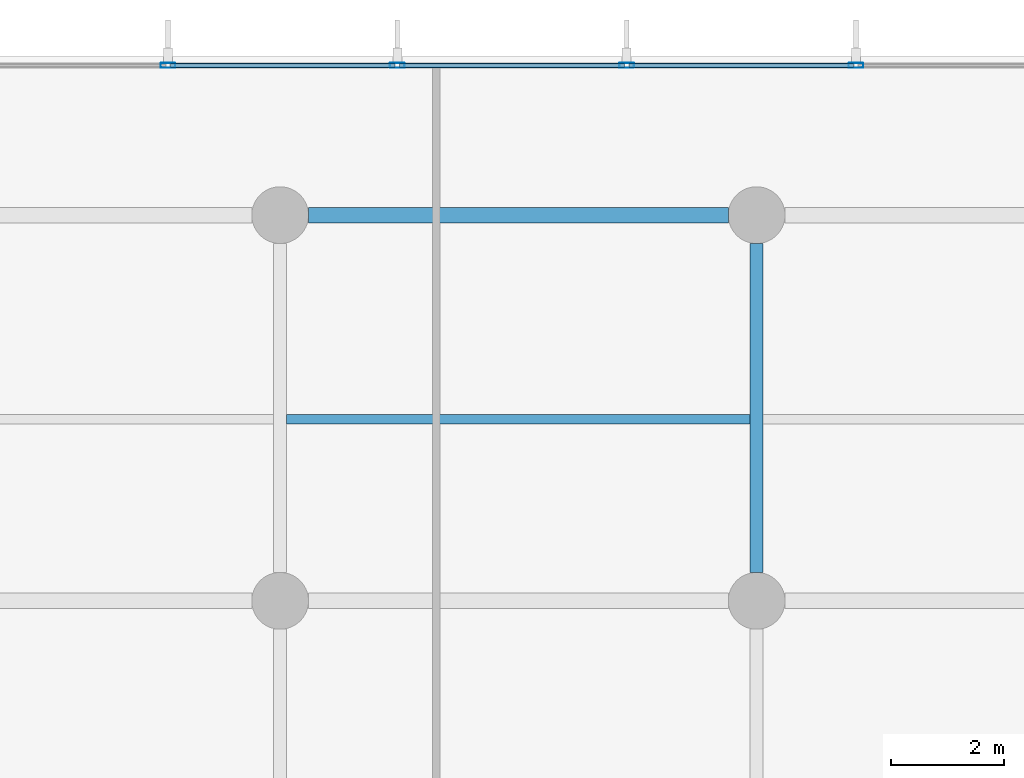
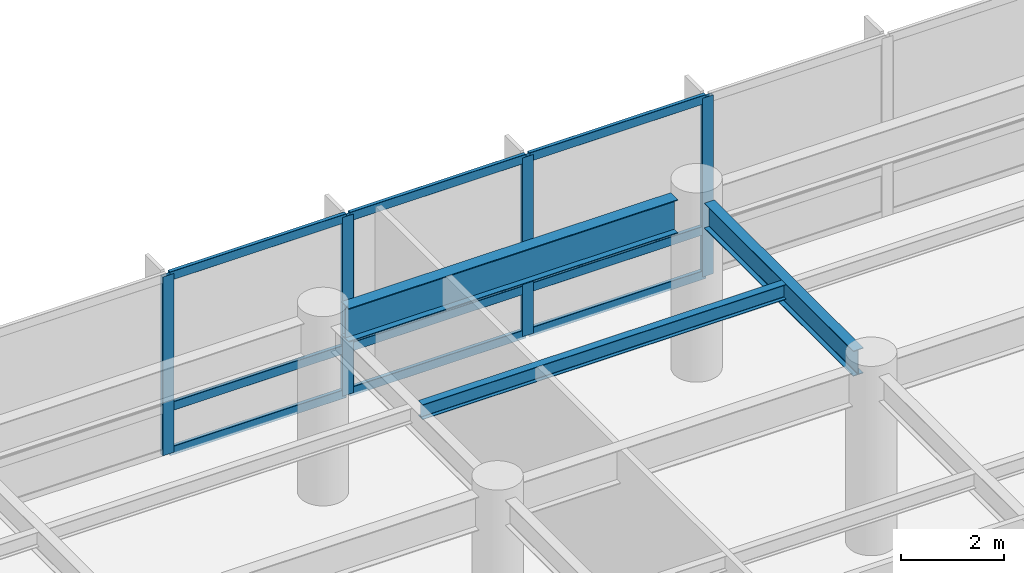
# One storey, part 11 of 26: 13 members, 3 beams, 1 element without a shape of its own.
"""IFC4 building model written with IfcOpenShell, lengths in metres."""

from ifc_helpers import new_model, si_unit, direction, frame, origin, origin_2d, place, context, subcontext, project, spatial, hollow_rectangle, i_section, extrude, material, layer, layer_set, material_profile, profile_set, type_object, element, aggregate, save


model = new_model("IFC4")

# Units and contexts
model_context = context("Model", 3, precision=1e-05, world=origin(), true_north=direction((0.0, 1.0)))
body_context = subcontext(model_context, "Body", "Model", "MODEL_VIEW")
ifc_project = project(units=[si_unit("LENGTHUNIT", "METRE"), si_unit("AREAUNIT", "SQUARE_METRE"), si_unit("VOLUMEUNIT", "CUBIC_METRE"), si_unit("PLANEANGLEUNIT", "RADIAN"), si_unit("MASSUNIT", "GRAM", prefix="KILO")], contexts=[model_context])

# Site, building, storey
site_placement = place(None, origin())
site = spatial("IfcSite", under=ifc_project, at=site_placement, CompositionType="ELEMENT")
building_placement = place(site_placement, origin())
building = spatial("IfcBuilding", under=site, at=building_placement, Name="Varnakote Quay Hospital", CompositionType="ELEMENT")
storey_placement = place(building_placement, frame((0.0, 0.0, 9.0)))
storey = spatial("IfcBuildingStorey", under=building, at=storey_placement, Name="L02", CompositionType="ELEMENT", Elevation=9.0)

# Beams
ifc_material_1 = material(Name="Structural steel AS/NZS 3679.1 Grade 350 L0 (fy 340 MPa)", Category="steel")
ifc_material_profile_1 = material_profile(ifc_material_1, i_section(OverallWidth=0.22802734375, OverallDepth=0.60205078125, WebThickness=0.010498046875, FlangeThickness=0.014892578125, FilletRadius=0.013916015625, at=origin_2d()), Name="610UB101")
ifc_profile_set_1 = profile_set([ifc_material_profile_1], Name="Structural steel AS/NZS 3679.1 Grade 350 L0 (fy 340 MPa)")
beam_type_1 = type_object("IfcBeamType", Name="BM-STL-610UB101", PredefinedType="BEAM", material=ifc_profile_set_1)
beam_1_placement = place(storey_placement, frame((75.60009765625, 37.699951171875, 3.948974609375), z_axis=(0.0, 1.0, 0.0), x_axis=(-1.0, 0.0, 0.0)))
element("IfcBeam", 1, at=beam_1_placement, inside=storey, type_object=beam_type_1, Name="L02 Primary Tie Beam", PredefinedType="BEAM", context=body_context, shape_type="SweptSolid", body=[
    extrude(i_section(OverallWidth=0.22802734375, OverallDepth=0.60205078125, WebThickness=0.010498046875, FlangeThickness=0.014892578125, FilletRadius=0.013916015625, at=origin_2d()), origin(), (0.0, 0.0, 1.0), 5.800048828125),
])
ifc_material_2 = material(Name="Structural steel AS/NZS 3678 Grade 350 (fy 340 MPa)", Category="steel")
ifc_material_profile_2 = material_profile(ifc_material_2, i_section(OverallWidth=0.27490234375, OverallDepth=0.800048828125, WebThickness=0.010009765625, FlangeThickness=0.02001953125, at=origin_2d()), Name="800WB146")
ifc_profile_set_2 = profile_set([ifc_material_profile_2], Name="Structural steel AS/NZS 3678 Grade 350 (fy 340 MPa)")
beam_type_2 = type_object("IfcBeamType", Name="BM-STL-800WB146", PredefinedType="BEAM", material=ifc_profile_set_2)
beam_2_placement = place(storey_placement, frame((67.699951171875, 44.0, 3.85009765625), z_axis=(1.0, 0.0, 0.0), x_axis=(0.0, 1.0, 0.0)))
element("IfcBeam", 2, at=beam_2_placement, inside=storey, type_object=beam_type_2, Name="L02 Primary Floor Beam", PredefinedType="BEAM", context=body_context, shape_type="SweptSolid", body=[
    extrude(i_section(OverallWidth=0.27490234375, OverallDepth=0.800048828125, WebThickness=0.010009765625, FlangeThickness=0.02001953125, at=origin_2d()), origin(), (0.0, 0.0, 1.0), 7.400146484375),
])

# Curtain wall, members
ifc_material_3 = material(Name="Anodised aluminium 6063-T6 Bronze", Category="aluminium")
ifc_layer = layer(ifc_material_3, 0.175048828125)
ifc_layer_set = layer_set([ifc_layer], Name="Anodised aluminium 6063-T6 Bronze")
curtain_wall_type = type_object("IfcCurtainWallType", Name="CW-SYS-1", PredefinedType="NOTDEFINED", material=ifc_layer_set)
curtain_wall_placement = place(storey_placement, origin())
curtain_wall = element("IfcCurtainWall", 3, at=curtain_wall_placement, inside=storey, type_object=curtain_wall_type, Name="L02 Unitised Bronze Curtain Wall 2", PredefinedType="NOTDEFINED")
ifc_material_4 = material(Name="Anodised aluminium 6063-T6 Bronze", Category="aluminium")
ifc_material_profile_3 = material_profile(ifc_material_4, hollow_rectangle(XDim=0.0849609375, YDim=0.260009765625, WallThickness=0.0048828125, InnerFilletRadius=0.0048828125, OuterFilletRadius=0.010009765625, at=origin_2d()), Name="CW-MULL-260x85")
ifc_profile_set_3 = profile_set([ifc_material_profile_3], Name="Anodised aluminium 6063-T6 Bronze")
member_type_1 = type_object("IfcMemberType", Name="CW-MULL-260x85", PredefinedType="MULLION", material=ifc_profile_set_3)
member_1_placement = place(storey_placement, frame((77.35302734375, 46.639892578125, 0.0), z_axis=(0.0, 0.0, 1.0), x_axis=(0.0, -1.0, 0.0)))
member_1 = element("IfcMember", 4, at=member_1_placement, type_object=member_type_1, Name="-1-L02-2 mullion 3", PredefinedType="MULLION", context=body_context, shape_type="SweptSolid", body=[
    extrude(hollow_rectangle(XDim=0.0849609375, YDim=0.260009765625, WallThickness=0.0048828125, InnerFilletRadius=0.0048828125, OuterFilletRadius=0.010009765625, at=origin_2d()), origin(), (0.0, 0.0, 1.0), 4.25),
])
member_2_placement = place(storey_placement, frame((73.3095703125, 46.639892578125, 0.0), z_axis=(0.0, 0.0, 1.0), x_axis=(0.0, -1.0, 0.0)))
member_2 = element("IfcMember", 5, at=member_2_placement, type_object=member_type_1, Name="-1-L02-2 mullion 4", PredefinedType="MULLION", context=body_context, shape_type="SweptSolid", body=[
    extrude(hollow_rectangle(XDim=0.0849609375, YDim=0.260009765625, WallThickness=0.0048828125, InnerFilletRadius=0.0048828125, OuterFilletRadius=0.010009765625, at=origin_2d()), origin(), (0.0, 0.0, 1.0), 4.25),
])
member_3_placement = place(storey_placement, frame((69.265869140625, 46.639892578125, 0.0), z_axis=(0.0, 0.0, 1.0), x_axis=(0.0, -1.0, 0.0)))
member_3 = element("IfcMember", 6, at=member_3_placement, type_object=member_type_1, Name="-1-L02-2 mullion 5", PredefinedType="MULLION", context=body_context, shape_type="SweptSolid", body=[
    extrude(hollow_rectangle(XDim=0.0849609375, YDim=0.260009765625, WallThickness=0.0048828125, InnerFilletRadius=0.0048828125, OuterFilletRadius=0.010009765625, at=origin_2d()), origin(), (0.0, 0.0, 1.0), 4.25),
])
member_4_placement = place(storey_placement, frame((65.222412109375, 46.639892578125, 0.0), z_axis=(0.0, 0.0, 1.0), x_axis=(0.0, -1.0, 0.0)))
member_4 = element("IfcMember", 7, at=member_4_placement, type_object=member_type_1, Name="-1-L02-2 mullion 6", PredefinedType="MULLION", context=body_context, shape_type="SweptSolid", body=[
    extrude(hollow_rectangle(XDim=0.0849609375, YDim=0.260009765625, WallThickness=0.0048828125, InnerFilletRadius=0.0048828125, OuterFilletRadius=0.010009765625, at=origin_2d()), origin(), (0.0, 0.0, 1.0), 4.25),
])
ifc_material_5 = material(Name="Anodised aluminium 6063-T6 Bronze", Category="aluminium")
ifc_material_profile_4 = material_profile(ifc_material_5, hollow_rectangle(XDim=0.0849609375, YDim=0.2099609375, WallThickness=0.00439453125, InnerFilletRadius=0.00439453125, OuterFilletRadius=0.009033203125, at=origin_2d()), Name="CW-TRAN-210x85")
ifc_profile_set_4 = profile_set([ifc_material_profile_4], Name="Anodised aluminium 6063-T6 Bronze")
member_type_2 = type_object("IfcMemberType", Name="CW-TRAN-210x85", PredefinedType="USERDEFINED", material=ifc_profile_set_4)
member_5_placement = place(storey_placement, frame((77.310546875, 46.639892578125, 0.04248046875), z_axis=(-1.0, 0.0, 0.0), x_axis=(0.0, -1.0, 0.0)))
member_5 = element("IfcMember", 8, at=member_5_placement, type_object=member_type_2, Name="-1-L02-2 transom 3.1", ObjectType="TRANSOM", PredefinedType="USERDEFINED", context=body_context, shape_type="SweptSolid", body=[
    extrude(hollow_rectangle(XDim=0.0849609375, YDim=0.2099609375, WallThickness=0.00439453125, InnerFilletRadius=0.00439453125, OuterFilletRadius=0.009033203125, at=origin_2d()), origin(), (0.0, 0.0, 1.0), 3.95849609375),
])
member_6_placement = place(storey_placement, frame((77.310546875, 46.639892578125, 1.10009765625), z_axis=(-1.0, 0.0, 0.0), x_axis=(0.0, -1.0, 0.0)))
member_6 = element("IfcMember", 9, at=member_6_placement, type_object=member_type_2, Name="-1-L02-2 transom 3.2", ObjectType="TRANSOM", PredefinedType="USERDEFINED", context=body_context, shape_type="SweptSolid", body=[
    extrude(hollow_rectangle(XDim=0.0849609375, YDim=0.2099609375, WallThickness=0.00439453125, InnerFilletRadius=0.00439453125, OuterFilletRadius=0.009033203125, at=origin_2d()), origin(), (0.0, 0.0, 1.0), 3.95849609375),
])
member_7_placement = place(storey_placement, frame((77.310546875, 46.639892578125, 4.20751953125), z_axis=(-1.0, 0.0, 0.0), x_axis=(0.0, -1.0, 0.0)))
member_7 = element("IfcMember", 10, at=member_7_placement, type_object=member_type_2, Name="-1-L02-2 transom 3.3", ObjectType="TRANSOM", PredefinedType="USERDEFINED", context=body_context, shape_type="SweptSolid", body=[
    extrude(hollow_rectangle(XDim=0.0849609375, YDim=0.2099609375, WallThickness=0.00439453125, InnerFilletRadius=0.00439453125, OuterFilletRadius=0.009033203125, at=origin_2d()), origin(), (0.0, 0.0, 1.0), 3.95849609375),
])
member_8_placement = place(storey_placement, frame((73.266845703125, 46.639892578125, 0.04248046875), z_axis=(-1.0, 0.0, 0.0), x_axis=(0.0, -1.0, 0.0)))
member_8 = element("IfcMember", 11, at=member_8_placement, type_object=member_type_2, Name="-1-L02-2 transom 4.1", ObjectType="TRANSOM", PredefinedType="USERDEFINED", context=body_context, shape_type="SweptSolid", body=[
    extrude(hollow_rectangle(XDim=0.0849609375, YDim=0.2099609375, WallThickness=0.00439453125, InnerFilletRadius=0.00439453125, OuterFilletRadius=0.009033203125, at=origin_2d()), origin(), (0.0, 0.0, 1.0), 3.95849609375),
])
member_9_placement = place(storey_placement, frame((73.266845703125, 46.639892578125, 1.10009765625), z_axis=(-1.0, 0.0, 0.0), x_axis=(0.0, -1.0, 0.0)))
member_9 = element("IfcMember", 12, at=member_9_placement, type_object=member_type_2, Name="-1-L02-2 transom 4.2", ObjectType="TRANSOM", PredefinedType="USERDEFINED", context=body_context, shape_type="SweptSolid", body=[
    extrude(hollow_rectangle(XDim=0.0849609375, YDim=0.2099609375, WallThickness=0.00439453125, InnerFilletRadius=0.00439453125, OuterFilletRadius=0.009033203125, at=origin_2d()), origin(), (0.0, 0.0, 1.0), 3.95849609375),
])
member_10_placement = place(storey_placement, frame((73.266845703125, 46.639892578125, 4.20751953125), z_axis=(-1.0, 0.0, 0.0), x_axis=(0.0, -1.0, 0.0)))
member_10 = element("IfcMember", 13, at=member_10_placement, type_object=member_type_2, Name="-1-L02-2 transom 4.3", ObjectType="TRANSOM", PredefinedType="USERDEFINED", context=body_context, shape_type="SweptSolid", body=[
    extrude(hollow_rectangle(XDim=0.0849609375, YDim=0.2099609375, WallThickness=0.00439453125, InnerFilletRadius=0.00439453125, OuterFilletRadius=0.009033203125, at=origin_2d()), origin(), (0.0, 0.0, 1.0), 3.95849609375),
])
member_11_placement = place(storey_placement, frame((69.223388671875, 46.639892578125, 0.04248046875), z_axis=(-1.0, 0.0, 0.0), x_axis=(0.0, -1.0, 0.0)))
member_11 = element("IfcMember", 14, at=member_11_placement, type_object=member_type_2, Name="-1-L02-2 transom 5.1", ObjectType="TRANSOM", PredefinedType="USERDEFINED", context=body_context, shape_type="SweptSolid", body=[
    extrude(hollow_rectangle(XDim=0.0849609375, YDim=0.2099609375, WallThickness=0.00439453125, InnerFilletRadius=0.00439453125, OuterFilletRadius=0.009033203125, at=origin_2d()), origin(), (0.0, 0.0, 1.0), 3.95849609375),
])
member_12_placement = place(storey_placement, frame((69.223388671875, 46.639892578125, 1.10009765625), z_axis=(-1.0, 0.0, 0.0), x_axis=(0.0, -1.0, 0.0)))
member_12 = element("IfcMember", 15, at=member_12_placement, type_object=member_type_2, Name="-1-L02-2 transom 5.2", ObjectType="TRANSOM", PredefinedType="USERDEFINED", context=body_context, shape_type="SweptSolid", body=[
    extrude(hollow_rectangle(XDim=0.0849609375, YDim=0.2099609375, WallThickness=0.00439453125, InnerFilletRadius=0.00439453125, OuterFilletRadius=0.009033203125, at=origin_2d()), origin(), (0.0, 0.0, 1.0), 3.95849609375),
])
member_13_placement = place(storey_placement, frame((69.223388671875, 46.639892578125, 4.20751953125), z_axis=(-1.0, 0.0, 0.0), x_axis=(0.0, -1.0, 0.0)))
member_13 = element("IfcMember", 16, at=member_13_placement, type_object=member_type_2, Name="-1-L02-2 transom 5.3", ObjectType="TRANSOM", PredefinedType="USERDEFINED", context=body_context, shape_type="SweptSolid", body=[
    extrude(hollow_rectangle(XDim=0.0849609375, YDim=0.2099609375, WallThickness=0.00439453125, InnerFilletRadius=0.00439453125, OuterFilletRadius=0.009033203125, at=origin_2d()), origin(), (0.0, 0.0, 1.0), 3.95849609375),
])
aggregate(curtain_wall, [member_1, member_2, member_3, member_4, member_5, member_6, member_7, member_8, member_9, member_10, member_11, member_12, member_13])

# Beam
ifc_material_6 = material(Name="Structural steel AS/NZS 3679.1 Grade 350 L0 (fy 340 MPa)", Category="steel")
ifc_material_profile_5 = material_profile(ifc_material_6, i_section(OverallWidth=0.1708984375, OverallDepth=0.35595703125, WebThickness=0.00732421875, FlangeThickness=0.011474609375, FilletRadius=0.011474609375, at=origin_2d()), Name="360UB50.7")
ifc_profile_set_5 = profile_set([ifc_material_profile_5], Name="Structural steel AS/NZS 3679.1 Grade 350 L0 (fy 340 MPa)")
beam_type_3 = type_object("IfcBeamType", Name="JST-STL-360UB50-7", PredefinedType="JOIST", material=ifc_profile_set_5)
beam_3_placement = place(storey_placement, frame((67.31396484375, 40.39990234375, 4.072021484375), z_axis=(1.0, 0.0, 0.0), x_axis=(0.0, 1.0, 0.0)))
element("IfcBeam", 17, at=beam_3_placement, inside=storey, type_object=beam_type_3, Name="L02 Composite Floor Joist", PredefinedType="JOIST", context=body_context, shape_type="SweptSolid", body=[
    extrude(i_section(OverallWidth=0.1708984375, OverallDepth=0.35595703125, WebThickness=0.00732421875, FlangeThickness=0.011474609375, FilletRadius=0.011474609375, at=origin_2d()), origin(), (0.0, 0.0, 1.0), 8.172119140625),
])

save(model, "model.ifc")
